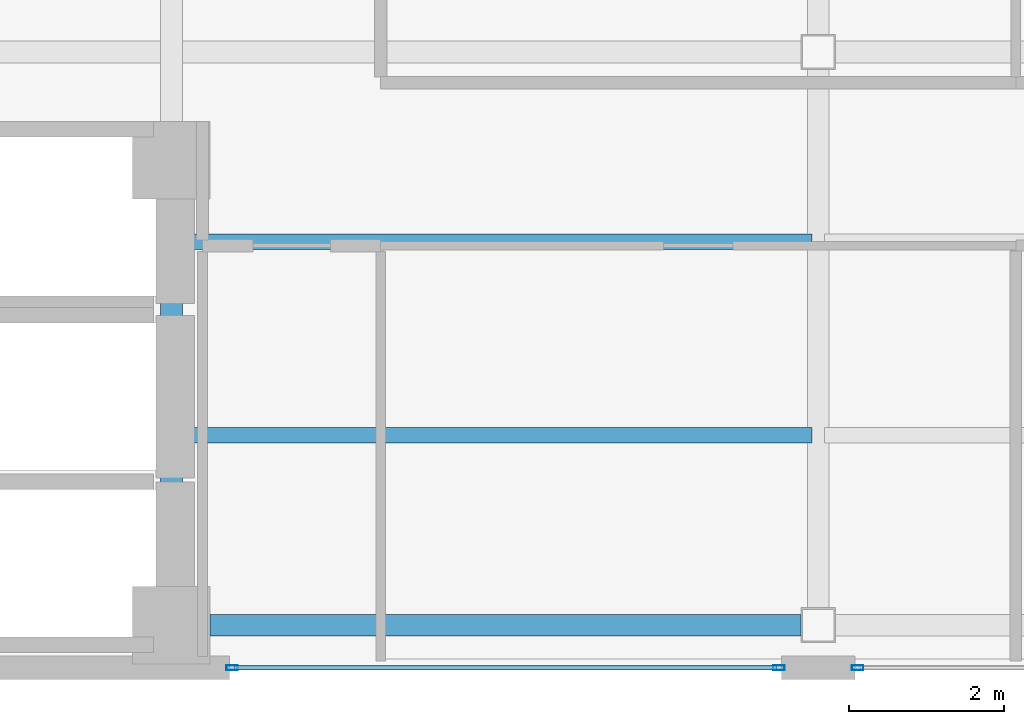
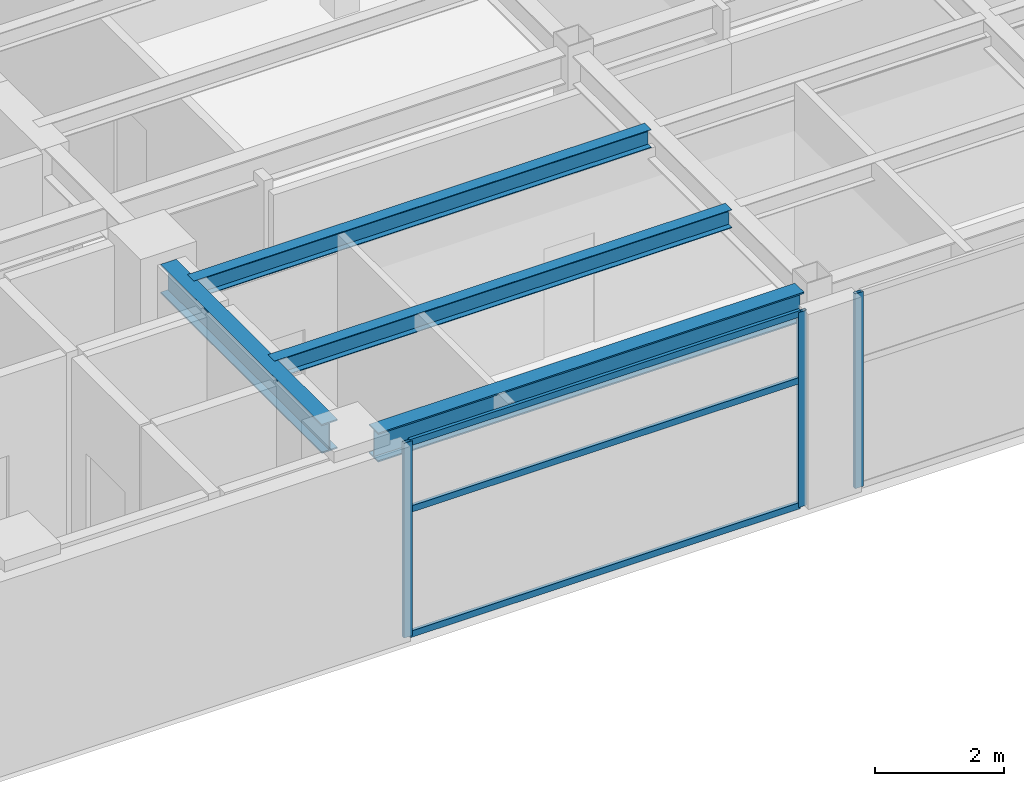
# One storey, part 4 of 17: 6 members, 4 beams, 2 elements without a shape of their own.
"""IFC4 building model written with IfcOpenShell, lengths in metres."""

from ifc_helpers import new_model, si_unit, direction, frame, origin, origin_2d, place, context, subcontext, project, spatial, hollow_rectangle, i_section, extrude, material, layer, layer_set, material_profile, profile_set, type_object, element, aggregate, save


model = new_model("IFC4")

# Units and contexts
model_context = context("Model", 3, precision=1e-05, world=origin(), true_north=direction((0.0, 1.0)))
body_context = subcontext(model_context, "Body", "Model", "MODEL_VIEW")
ifc_project = project(units=[si_unit("LENGTHUNIT", "METRE"), si_unit("AREAUNIT", "SQUARE_METRE"), si_unit("VOLUMEUNIT", "CUBIC_METRE"), si_unit("PLANEANGLEUNIT", "RADIAN"), si_unit("MASSUNIT", "GRAM", prefix="KILO")], contexts=[model_context])

# Site, building, storey
site_placement = place(None, origin())
site = spatial("IfcSite", under=ifc_project, at=site_placement, CompositionType="ELEMENT")
building_placement = place(site_placement, origin())
building = spatial("IfcBuilding", under=site, at=building_placement, Name="Mawjaban Terraces University", CompositionType="ELEMENT")
storey_placement = place(building_placement, frame((0.0, 0.0, 183.60009765625)))
storey = spatial("IfcBuildingStorey", under=building, at=storey_placement, Name="L44", CompositionType="ELEMENT", Elevation=183.60009765625)

# Beams
ifc_material_1 = material(Name="Steel ASTM A572 Grade 50", Category="steel")
ifc_material_profile_1 = material_profile(ifc_material_1, i_section(OverallWidth=0.281005859375, OverallDepth=0.551025390625, WebThickness=0.01513671875, FlangeThickness=0.02587890625, at=origin_2d()), Name="W530X182")
ifc_profile_set_1 = profile_set([ifc_material_profile_1], Name="Steel ASTM A572 Grade 50")
beam_type_1 = type_object("IfcBeamType", Name="Beam_B_W530X182", PredefinedType="BEAM", material=ifc_profile_set_1)
beam_1_placement = place(storey_placement, frame((38.14990234375, 0.550048828125, 3.413818359375), z_axis=(1.0, 0.0, 0.0), x_axis=(0.0, 1.0, 0.0)))
element("IfcBeam", 1, at=beam_1_placement, inside=storey, type_object=beam_type_1, Name="L44 Beam BM-L44-EW-01", PredefinedType="BEAM", context=body_context, shape_type="SweptSolid", body=[
    extrude(i_section(OverallWidth=0.281005859375, OverallDepth=0.551025390625, WebThickness=0.01513671875, FlangeThickness=0.02587890625, at=origin_2d()), origin(), (0.0, 0.0, 1.0), 7.625),
])
beam_2_placement = place(storey_placement, frame((37.64990234375, 1.050048828125, 3.413818359375), z_axis=(0.0, 1.0, 0.0), x_axis=(-1.0, 0.0, 0.0)))
element("IfcBeam", 2, at=beam_2_placement, inside=storey, type_object=beam_type_1, Name="L44 Beam BM-L44-NS-05", PredefinedType="BEAM", context=body_context, shape_type="SweptSolid", body=[
    extrude(i_section(OverallWidth=0.281005859375, OverallDepth=0.551025390625, WebThickness=0.01513671875, FlangeThickness=0.02587890625, at=origin_2d()), origin(), (0.0, 0.0, 1.0), 5.0),
])
ifc_material_profile_2 = material_profile(ifc_material_1, i_section(OverallWidth=0.202880859375, OverallDepth=0.346923828125, WebThickness=0.0078125, FlangeThickness=0.013427734375, at=origin_2d()), Name="W360X64")
ifc_profile_set_2 = profile_set([ifc_material_profile_2], Name="Steel ASTM A572 Grade 50")
beam_type_2 = type_object("IfcBeamType", Name="Beam_J_W360X64", PredefinedType="JOIST", material=ifc_profile_set_2)
for number, where, z_axis, x_axis, name in (
    (3, (37.72998046875, 3.0, 3.516845703125), (1.0, 0.0, 0.0), (0.0, 1.0, 0.0), "L44 Composite Joist JST-L44-01"),
    (4, (37.72998046875, 5.5, 3.516845703125), (1.0, 0.0, 0.0), (0.0, 1.0, 0.0), "L44 Composite Joist JST-L44-04"),
):
    element("IfcBeam", number, at=place(storey_placement, frame(where, z_axis=z_axis, x_axis=x_axis)), inside=storey, type_object=beam_type_2, Name=name, PredefinedType="JOIST", context=body_context, shape_type="SweptSolid", body=[
        extrude(i_section(OverallWidth=0.202880859375, OverallDepth=0.346923828125, WebThickness=0.0078125, FlangeThickness=0.013427734375, at=origin_2d()), origin(), (0.0, 0.0, 1.0), 8.18994140625),
    ])

# Curtain wall, members
ifc_material_2 = material(Name="Anodised aluminium 6063-T6 and solar-control low-E glass", Category="aluminium")
ifc_layer = layer(ifc_material_2, 0.159912109375)
ifc_layer_set = layer_set([ifc_layer], Name="Anodised aluminium 6063-T6 and solar-control low-E glass")
curtain_wall_type = type_object("IfcCurtainWallType", Name="CWSystem_03_NorthWing", PredefinedType="NOTDEFINED", material=ifc_layer_set)
curtain_wall_1_placement = place(storey_placement, origin())
curtain_wall_1 = element("IfcCurtainWall", 5, at=curtain_wall_1_placement, inside=storey, type_object=curtain_wall_type, Name="L44 Curtain Wall CW-03 Run 1.2", PredefinedType="NOTDEFINED")
ifc_material_3 = material(Name="Anodised aluminium 6063-T6", Category="aluminium")
ifc_material_profile_3 = material_profile(ifc_material_3, hollow_rectangle(XDim=0.06005859375, YDim=0.14990234375, WallThickness=0.00390625, at=origin_2d()), Name="ALU150X60X4")
ifc_profile_set_3 = profile_set([ifc_material_profile_3], Name="Anodised aluminium 6063-T6")
member_type_1 = type_object("IfcMemberType", Name="Mullion_CW-03", PredefinedType="MULLION", material=ifc_profile_set_3)
member_1_placement = place(storey_placement, frame((38.4326171875, 0.0, 0.0), z_axis=(0.0, 0.0, 1.0), x_axis=(0.0, 1.0, 0.0)))
member_1 = element("IfcMember", 6, at=member_1_placement, type_object=member_type_1, Name="CW-03 mullion 1", PredefinedType="MULLION", context=body_context, shape_type="SweptSolid", body=[
    extrude(hollow_rectangle(XDim=0.06005859375, YDim=0.14990234375, WallThickness=0.00390625, at=origin_2d()), origin(), (0.0, 0.0, 1.0), 3.68994140625),
])
member_2_placement = place(storey_placement, frame((45.492431640625, 0.0, 0.0), z_axis=(0.0, 0.0, 1.0), x_axis=(0.0, 1.0, 0.0)))
member_2 = element("IfcMember", 7, at=member_2_placement, type_object=member_type_1, Name="CW-03 mullion 2", PredefinedType="MULLION", context=body_context, shape_type="SweptSolid", body=[
    extrude(hollow_rectangle(XDim=0.06005859375, YDim=0.14990234375, WallThickness=0.00390625, at=origin_2d()), origin(), (0.0, 0.0, 1.0), 3.68994140625),
])

# Curtain wall, member
curtain_wall_2_placement = place(storey_placement, origin())
curtain_wall_2 = element("IfcCurtainWall", 8, at=curtain_wall_2_placement, inside=storey, type_object=curtain_wall_type, Name="L44 Curtain Wall CW-03 Run 1.3", PredefinedType="NOTDEFINED")
member_3_placement = place(storey_placement, frame((46.507568359375, 0.0, 0.0), z_axis=(0.0, 0.0, 1.0), x_axis=(0.0, 1.0, 0.0)))
member_3 = element("IfcMember", 9, at=member_3_placement, type_object=member_type_1, Name="CW-03 mullion 1", PredefinedType="MULLION", context=body_context, shape_type="SweptSolid", body=[
    extrude(hollow_rectangle(XDim=0.06005859375, YDim=0.14990234375, WallThickness=0.00390625, at=origin_2d()), origin(), (0.0, 0.0, 1.0), 3.68994140625),
])
aggregate(curtain_wall_2, [member_3])

# Member
ifc_material_profile_4 = material_profile(ifc_material_3, hollow_rectangle(XDim=0.06005859375, YDim=0.1201171875, WallThickness=0.00341796875, at=origin_2d()), Name="ALU120X60X3.5")
ifc_profile_set_4 = profile_set([ifc_material_profile_4], Name="Anodised aluminium 6063-T6")
member_type_2 = type_object("IfcMemberType", Name="Transom_CW-03", PredefinedType="NOTDEFINED", material=ifc_profile_set_4)
member_4_placement = place(storey_placement, frame((38.465087890625, 0.0, 0.02978515625), z_axis=(1.0, 0.0, 0.0), x_axis=(0.0, 1.0, 0.0)))
member_4 = element("IfcMember", 10, at=member_4_placement, type_object=member_type_2, Name="CW-03 transom 1.1", ObjectType="TRANSOM", PredefinedType="USERDEFINED", context=body_context, shape_type="SweptSolid", body=[
    extrude(hollow_rectangle(XDim=0.06005859375, YDim=0.1201171875, WallThickness=0.00341796875, at=origin_2d()), origin(), (0.0, 0.0, 1.0), 6.994873046875),
])

member_5_placement = place(storey_placement, frame((38.465087890625, 0.0, 2.39794921875), z_axis=(1.0, 0.0, 0.0), x_axis=(0.0, 1.0, 0.0)))
member_5 = element("IfcMember", 11, at=member_5_placement, type_object=member_type_2, Name="CW-03 transom 1.2", ObjectType="TRANSOM", PredefinedType="USERDEFINED", context=body_context, shape_type="SweptSolid", body=[
    extrude(hollow_rectangle(XDim=0.06005859375, YDim=0.1201171875, WallThickness=0.00341796875, at=origin_2d()), origin(), (0.0, 0.0, 1.0), 6.994873046875),
])

member_6_placement = place(storey_placement, frame((38.465087890625, 0.0, 3.659912109375), z_axis=(1.0, 0.0, 0.0), x_axis=(0.0, 1.0, 0.0)))
member_6 = element("IfcMember", 12, at=member_6_placement, type_object=member_type_2, Name="CW-03 transom 1.3", ObjectType="TRANSOM", PredefinedType="USERDEFINED", context=body_context, shape_type="SweptSolid", body=[
    extrude(hollow_rectangle(XDim=0.06005859375, YDim=0.1201171875, WallThickness=0.00341796875, at=origin_2d()), origin(), (0.0, 0.0, 1.0), 6.994873046875),
])

aggregate(curtain_wall_1, [member_1, member_2, member_4, member_5, member_6])

save(model, "model.ifc")
